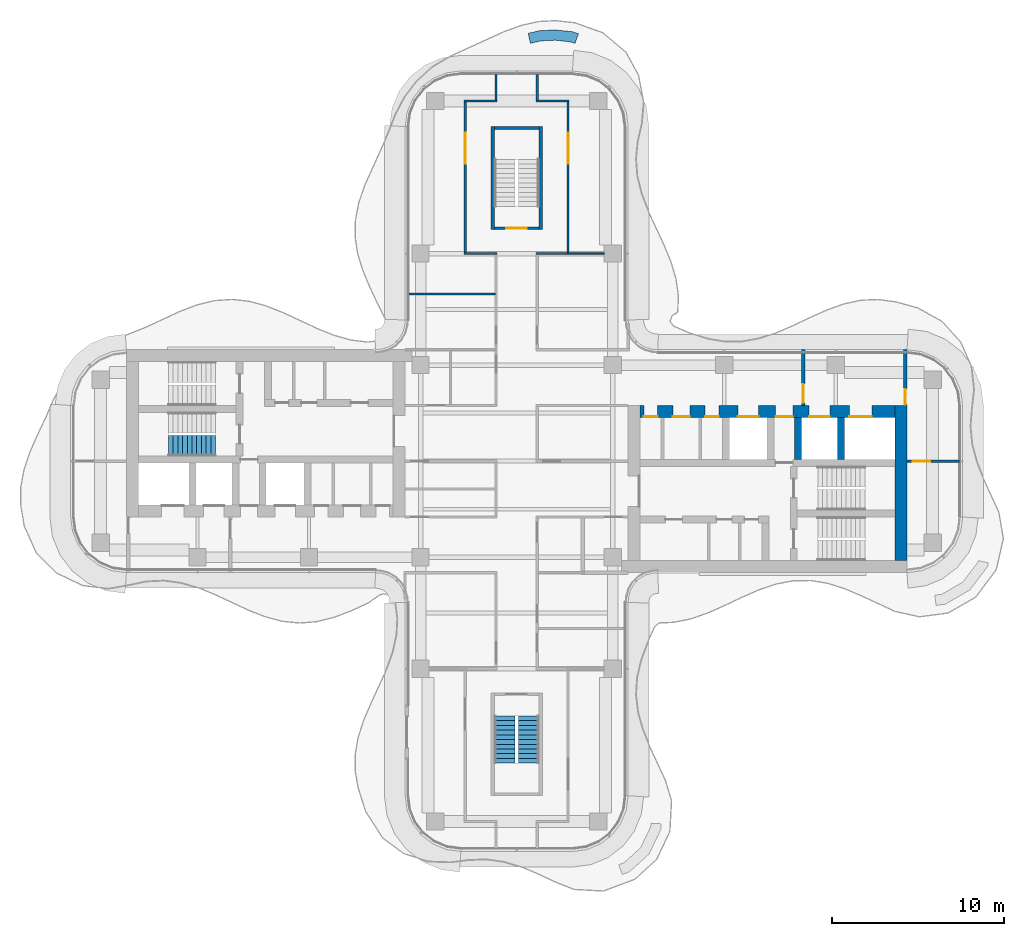
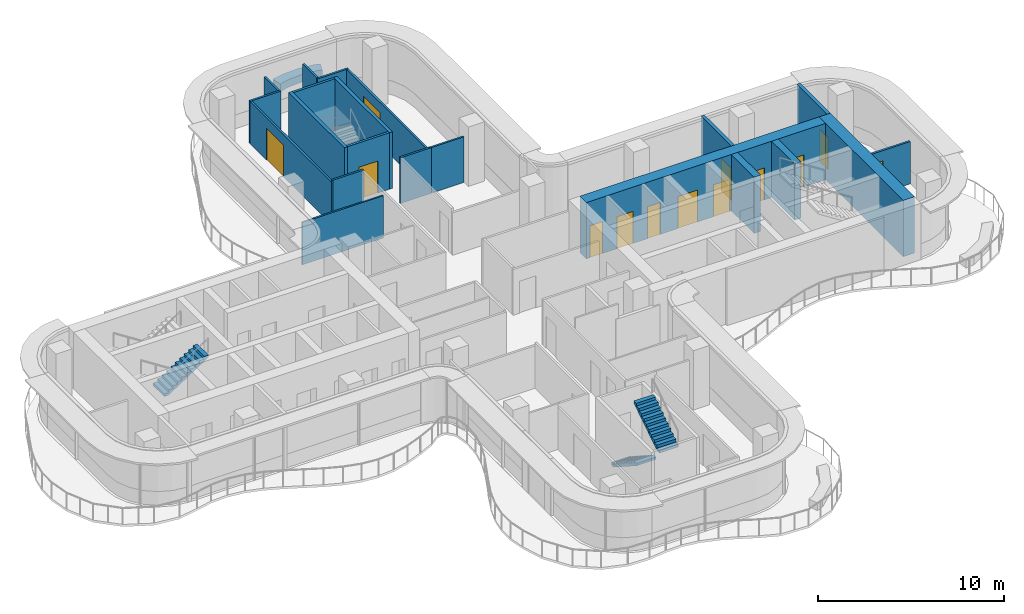
# One storey, part 13 of 16: 22 walls, 13 doors, 3 stair flights, 13 openings, 2 elements without a shape of their own.
"""IFC4 building model written with IfcOpenShell, lengths in metres."""

from ifc_helpers import new_model, si_unit, direction, frame, frame_2d, origin, place, context, subcontext, project, spatial, polyline, rectangle, outline, extrude, source, transform, mapped, material, layer, layer_set, type_object, element, fill, aggregate, save


model = new_model("IFC4")

# Units and contexts
model_context = context("Model", 3, precision=1e-05, world=origin(), true_north=direction((0.0, 1.0)))
body_context = subcontext(model_context, "Body", "Model", "MODEL_VIEW")
ifc_project = project(units=[si_unit("LENGTHUNIT", "METRE"), si_unit("AREAUNIT", "SQUARE_METRE"), si_unit("VOLUMEUNIT", "CUBIC_METRE"), si_unit("PLANEANGLEUNIT", "RADIAN"), si_unit("MASSUNIT", "GRAM", prefix="KILO")], contexts=[model_context])

# Site, building, storey
site_placement = place(None, origin())
site = spatial("IfcSite", under=ifc_project, at=site_placement, CompositionType="ELEMENT")
building_placement = place(site_placement, origin())
building = spatial("IfcBuilding", under=site, at=building_placement, Name="Trellis Farm Tower", CompositionType="ELEMENT")
storey_placement = place(building_placement, frame((0.0, 0.0, 298.89990234375)))
storey = spatial("IfcBuildingStorey", under=building, at=storey_placement, Name="L67", CompositionType="ELEMENT", Elevation=298.89990234375)

# Walls
ifc_material_1 = material(Name="Sandstone faced masonry planter", Category="masonry")
ifc_layer_1 = layer(ifc_material_1, 0.60009765625)
ifc_layer_set_1 = layer_set([ifc_layer_1], Name="PLANTER BED 600")
wall_type_1 = type_object("IfcWallType", Name="PLANTER BED 600", PredefinedType="USERDEFINED", material=ifc_layer_set_1)
placement = place(storey_placement, origin())
element("IfcWall", 1, at=placement, inside=storey, type_object=wall_type_1, Name="PLANTER bed", ObjectType="PLANTER", PredefinedType="USERDEFINED", context=body_context, shape_type="SweptSolid", body=[
    extrude(outline(polyline([(2.24658203125, 25.143310546875), (3.28466796875, 25.029296875), (3.601806640625, 24.916015625), (3.39990234375, 24.350830078125), (3.149169921875, 24.4404296875), (2.2294921875, 24.541748046875), (1.422119140625, 24.498779296875), (0.797119140625, 24.357421875), (0.664794921875, 24.942626953125), (1.33935546875, 25.09521484375), (2.24658203125, 25.143310546875)])), origin(), (0.0, 0.0, 1.0), 0.5),
])
ifc_material_2 = material(Name="Concrete C50/60", Category="concrete")
ifc_layer_2 = layer(ifc_material_2, 0.699951171875)
ifc_layer_set_2 = layer_set([ifc_layer_2], Name="CORE OUTER WALL 700 CONCRETE C50/60")
wall_type_2 = type_object("IfcWallType", Name="CORE OUTER WALL 700 CONCRETE C50/60", PredefinedType="SHEAR", material=ifc_layer_set_2)
shared_shape_1 = source(origin(), body_context, "Body", "SweptSolid", [
    extrude(rectangle(XDim=9.050048828125, YDim=0.699951171875, at=frame_2d((4.52490234375, 0.0))), origin(), (0.0, 0.0, 1.0), 3.7001953125),
])
wall_2_placement = place(storey_placement, frame((22.39990234375, -5.800048828125, 0.0), z_axis=(0.0, 0.0, 1.0), x_axis=(0.0, 1.0, 0.0)))
element("IfcWall", 2, at=wall_2_placement, inside=storey, type_object=wall_type_2, Name="Core wall", PredefinedType="SHEAR", context=body_context, shape_type="MappedRepresentation", body=[
    mapped(shared_shape_1, transform((0.0, 0.0, 0.0))),
])
ifc_layer_3 = layer(ifc_material_2, 0.39990234375)
ifc_layer_set_3 = layer_set([ifc_layer_3], Name="CORE INNER WALL 400 CONCRETE C50/60")
wall_type_3 = type_object("IfcWallType", Name="CORE INNER WALL 400 CONCRETE C50/60", PredefinedType="SHEAR", material=ifc_layer_set_3)
shared_shape_2 = source(origin(), body_context, "Body", "SweptSolid", [
    extrude(rectangle(XDim=2.449951171875, YDim=0.39990234375, at=frame_2d((1.22509765625, 0.0))), origin(), (0.0, 0.0, 1.0), 3.7001953125),
])
for number, where, z_axis, x_axis, name in (
    (3, (16.39990234375, 0.10009765625, 0.0), (0.0, 0.0, 1.0), (0.0, 1.0, 0.0), "Core wall"),
    (4, (18.89990234375, 0.10009765625, 0.0), (0.0, 0.0, 1.0), (0.0, 1.0, 0.0), "Core wall"),
):
    element("IfcWall", number, at=place(storey_placement, frame(where, z_axis=z_axis, x_axis=x_axis)), inside=storey, type_object=wall_type_3, Name=name, PredefinedType="SHEAR", context=body_context, shape_type="MappedRepresentation", body=[
        mapped(shared_shape_2, transform((0.0, 0.0, 0.0))),
    ])

# Wall, opening, door
ifc_material_3 = material(Name="Masonry blockwork", Category="masonry")
ifc_layer_4 = layer(ifc_material_3, 0.199951171875)
ifc_layer_set_4 = layer_set([ifc_layer_4], Name="FIRE LOBBY PARTITION 200 BLOCKWORK")
wall_type_4 = type_object("IfcWallType", Name="FIRE LOBBY PARTITION 200 BLOCKWORK", PredefinedType="PARTITIONING", material=ifc_layer_set_4)
shared_shape_3 = source(origin(), body_context, "Body", "SweptSolid", [
    extrude(rectangle(XDim=3.25, YDim=0.199951171875, at=frame_2d((1.625, 0.0))), origin(), (0.0, 0.0, 1.0), 3.7001953125),
])
wall_3_placement = place(storey_placement, frame((16.699951171875, 3.25, 0.0), z_axis=(0.0, 0.0, 1.0), x_axis=(0.0, 1.0, 0.0)))
wall_3 = element("IfcWall", 5, at=wall_3_placement, inside=storey, type_object=wall_type_4, Name="Fire-fighting lobby partition", PredefinedType="PARTITIONING", context=body_context, shape_type="MappedRepresentation", body=[
    mapped(shared_shape_3, transform((0.0, 0.0, 0.0))),
])
shared_shape_4 = source(origin(), body_context, "Body", "SweptSolid", [
    extrude(rectangle(XDim=1.10009765625, YDim=2.10009765625, at=frame_2d((0.550048828125, 1.050048828125))), frame((0.0, 0.110107421875, 0.0), z_axis=(0.0, -1.0, 0.0), x_axis=(1.0, 0.0, 0.0)), (0.0, 0.0, 1.0), 0.22021484375),
])
opening_1_placement = place(wall_3_placement, frame((0.14990234375, 0.0, 0.0)))
opening_1 = element("IfcOpeningElement", 6, at=opening_1_placement, cuts=wall_3, Name="Opening DC7", PredefinedType="OPENING", context=body_context, shape_type="MappedRepresentation", body=[
    mapped(shared_shape_4, transform((0.0, 0.0, 0.0))),
])
ifc_material_4 = material(Name="Steel", Category="steel")
door_type_1 = type_object("IfcDoorType", Name="CORE FIRE DOOR 1100 X 2100", OperationType="NOTDEFINED", PredefinedType="DOOR", material=ifc_material_4)
shared_shape_5 = source(origin(), body_context, "Body", "SweptSolid", [
    extrude(rectangle(XDim=1.10009765625, YDim=2.10009765625, at=frame_2d((0.550048828125, 1.050048828125))), frame((0.0, 0.02490234375, 0.0), z_axis=(0.0, -1.0, 0.0), x_axis=(1.0, 0.0, 0.0)), (0.0, 0.0, 1.0), 0.050048828125),
])
door_1_placement = place(opening_1_placement, origin())
door_1 = element("IfcDoor", 7, at=door_1_placement, inside=storey, type_object=door_type_1, Name="Core door", OperationType="SINGLE_SWING_RIGHT", OverallHeight=2.10009765625, OverallWidth=1.10009765625, PredefinedType="DOOR", context=body_context, shape_type="MappedRepresentation", body=[
    mapped(shared_shape_5, transform((0.0, 0.0, 0.0))),
])
fill(opening_1, door_1)

wall_4_placement = place(storey_placement, frame((22.64990234375, 3.25, 0.0), z_axis=(0.0, 0.0, 1.0), x_axis=(0.0, 1.0, 0.0)))
wall_4 = element("IfcWall", 8, at=wall_4_placement, inside=storey, type_object=wall_type_4, Name="Fire-fighting lobby partition", PredefinedType="PARTITIONING", context=body_context, shape_type="MappedRepresentation", body=[
    mapped(shared_shape_3, transform((0.0, 0.0, 0.0))),
])
shared_shape_6 = source(origin(), body_context, "Body", "SweptSolid", [
    extrude(rectangle(XDim=0.89990234375, YDim=2.10009765625, at=frame_2d((0.449951171875, 1.050048828125))), frame((0.0, 0.110107421875, 0.0), z_axis=(0.0, -1.0, 0.0), x_axis=(1.0, 0.0, 0.0)), (0.0, 0.0, 1.0), 0.22021484375),
])
opening_2_placement = place(wall_4_placement, frame((0.050048828125, 0.0, 0.0)))
opening_2 = element("IfcOpeningElement", 9, at=opening_2_placement, cuts=wall_4, Name="Opening DC8", PredefinedType="OPENING", context=body_context, shape_type="MappedRepresentation", body=[
    mapped(shared_shape_6, transform((0.0, 0.0, 0.0))),
])
door_type_2 = type_object("IfcDoorType", Name="CORE FIRE DOOR 900 X 2100", OperationType="NOTDEFINED", PredefinedType="DOOR", material=ifc_material_4)
shared_shape_7 = source(origin(), body_context, "Body", "SweptSolid", [
    extrude(rectangle(XDim=0.89990234375, YDim=2.10009765625, at=frame_2d((0.449951171875, 1.050048828125))), frame((0.0, 0.02490234375, 0.0), z_axis=(0.0, -1.0, 0.0), x_axis=(1.0, 0.0, 0.0)), (0.0, 0.0, 1.0), 0.050048828125),
])
door_2_placement = place(opening_2_placement, origin())
door_2 = element("IfcDoor", 10, at=door_2_placement, inside=storey, type_object=door_type_2, Name="Core door", OperationType="SINGLE_SWING_RIGHT", OverallHeight=2.10009765625, OverallWidth=0.89990234375, PredefinedType="DOOR", context=body_context, shape_type="MappedRepresentation", body=[
    mapped(shared_shape_7, transform((0.0, 0.0, 0.0))),
])
fill(opening_2, door_2)

# Wall, openings, doors
shared_shape_8 = source(origin(), body_context, "Body", "SweptSolid", [
    extrude(rectangle(XDim=14.85009765625, YDim=0.699951171875, at=frame_2d((7.425048828125, 0.0))), origin(), (0.0, 0.0, 1.0), 3.7001953125),
])
wall_5_placement = place(storey_placement, frame((7.199951171875, 2.89990234375, 0.0), z_axis=(0.0, 0.0, 1.0), x_axis=(1.0, 0.0, 0.0)))
wall_5 = element("IfcWall", 11, at=wall_5_placement, inside=storey, type_object=wall_type_2, Name="Core wall", PredefinedType="SHEAR", context=body_context, shape_type="MappedRepresentation", body=[
    mapped(shared_shape_8, transform((0.0, 0.0, 0.0))),
])
shared_shape_9 = source(origin(), body_context, "Body", "SweptSolid", [
    extrude(rectangle(XDim=1.199951171875, YDim=2.10009765625, at=frame_2d((0.60009765625, 1.050048828125))), frame((0.0, 0.360107421875, 0.0), z_axis=(0.0, -1.0, 0.0), x_axis=(1.0, 0.0, 0.0)), (0.0, 0.0, 1.0), 0.72021484375),
])
opening_3_placement = place(wall_5_placement, frame((5.699951171875, 0.0, 0.0)))
opening_3 = element("IfcOpeningElement", 12, at=opening_3_placement, cuts=wall_5, Name="Opening LD6", PredefinedType="OPENING", context=body_context, shape_type="MappedRepresentation", body=[
    mapped(shared_shape_9, transform((0.0, 0.0, 0.0))),
])
shared_shape_10 = source(origin(), body_context, "Body", "SweptSolid", [
    extrude(rectangle(XDim=1.300048828125, YDim=2.10009765625, at=frame_2d((0.64990234375, 1.050048828125))), frame((0.0, 0.360107421875, 0.0), z_axis=(0.0, -1.0, 0.0), x_axis=(1.0, 0.0, 0.0)), (0.0, 0.0, 1.0), 0.72021484375),
])
opening_4_placement = place(wall_5_placement, frame((12.199951171875, 0.0, 0.0)))
opening_4 = element("IfcOpeningElement", 13, at=opening_4_placement, cuts=wall_5, Name="Opening LD7", PredefinedType="OPENING", context=body_context, shape_type="MappedRepresentation", body=[
    mapped(shared_shape_10, transform((0.0, 0.0, 0.0))),
])
opening_5_placement = place(wall_5_placement, frame((9.85009765625, 0.0, 0.0)))
opening_5 = element("IfcOpeningElement", 14, at=opening_5_placement, cuts=wall_5, Name="Opening LD8", PredefinedType="OPENING", context=body_context, shape_type="MappedRepresentation", body=[
    mapped(shared_shape_9, transform((0.0, 0.0, 0.0))),
])
shared_shape_11 = source(origin(), body_context, "Body", "SweptSolid", [
    extrude(rectangle(XDim=1.0, YDim=2.10009765625, at=frame_2d((0.5, 1.050048828125))), frame((0.0, 0.360107421875, 0.0), z_axis=(0.0, -1.0, 0.0), x_axis=(1.0, 0.0, 0.0)), (0.0, 0.0, 1.0), 0.72021484375),
])
opening_6_placement = place(wall_5_placement, frame((7.89990234375, 0.0, 0.0)))
opening_6 = element("IfcOpeningElement", 15, at=opening_6_placement, cuts=wall_5, Name="Opening DC6", PredefinedType="OPENING", context=body_context, shape_type="MappedRepresentation", body=[
    mapped(shared_shape_11, transform((0.0, 0.0, 0.0))),
])
shared_shape_12 = source(origin(), body_context, "Body", "SweptSolid", [
    extrude(rectangle(XDim=0.800048828125, YDim=2.10009765625, at=frame_2d((0.39990234375, 1.050048828125))), frame((0.0, 0.360107421875, 0.0), z_axis=(0.0, -1.0, 0.0), x_axis=(1.0, 0.0, 0.0)), (0.0, 0.0, 1.0), 0.72021484375),
])
opening_7_placement = place(wall_5_placement, frame((0.21240234375, 0.0, 0.0)))
opening_7 = element("IfcOpeningElement", 16, at=opening_7_placement, cuts=wall_5, Name="Opening DC10", PredefinedType="OPENING", context=body_context, shape_type="MappedRepresentation", body=[
    mapped(shared_shape_12, transform((0.0, 0.0, 0.0))),
])
opening_8_placement = place(wall_5_placement, frame((1.89990234375, 0.0, 0.0)))
opening_8 = element("IfcOpeningElement", 17, at=opening_8_placement, cuts=wall_5, Name="Opening DC19", PredefinedType="OPENING", context=body_context, shape_type="MappedRepresentation", body=[
    mapped(shared_shape_11, transform((0.0, 0.0, 0.0))),
])
opening_9_placement = place(wall_5_placement, frame((3.78759765625, 0.0, 0.0)))
opening_9 = element("IfcOpeningElement", 18, at=opening_9_placement, cuts=wall_5, Name="Opening DC22", PredefinedType="OPENING", context=body_context, shape_type="MappedRepresentation", body=[
    mapped(shared_shape_12, transform((0.0, 0.0, 0.0))),
])
door_type_3 = type_object("IfcDoorType", Name="CORE FIRE DOOR 1000 X 2100", OperationType="NOTDEFINED", PredefinedType="DOOR", material=ifc_material_4)
shared_shape_13 = source(origin(), body_context, "Body", "SweptSolid", [
    extrude(rectangle(XDim=1.0, YDim=2.10009765625, at=frame_2d((0.5, 1.050048828125))), frame((0.0, -0.27490234375, 0.0), z_axis=(0.0, -1.0, 0.0), x_axis=(1.0, 0.0, 0.0)), (0.0, 0.0, 1.0), 0.050048828125),
])
door_3_placement = place(opening_6_placement, origin())
door_3 = element("IfcDoor", 19, at=door_3_placement, inside=storey, type_object=door_type_3, Name="Core door", OperationType="SINGLE_SWING_LEFT", OverallHeight=2.10009765625, OverallWidth=1.0, PredefinedType="DOOR", context=body_context, shape_type="MappedRepresentation", body=[
    mapped(shared_shape_13, transform((0.0, 0.0, 0.0))),
])
fill(opening_6, door_3)
door_4_placement = place(opening_8_placement, origin())
door_4 = element("IfcDoor", 20, at=door_4_placement, inside=storey, type_object=door_type_3, Name="Core door", OperationType="SINGLE_SWING_LEFT", OverallHeight=2.10009765625, OverallWidth=1.0, PredefinedType="DOOR", context=body_context, shape_type="MappedRepresentation", body=[
    mapped(shared_shape_13, transform((0.0, 0.0, 0.0))),
])
fill(opening_8, door_4)
ifc_material_5 = material(Name="Stainless steel", Category="steel")
door_type_4 = type_object("IfcDoorType", Name="LIFT LANDING DOOR 1300 X 2100", OperationType="DOUBLE_DOOR_SLIDING", PredefinedType="DOOR", material=ifc_material_5)
shared_shape_14 = source(origin(), body_context, "Body", "SweptSolid", [
    extrude(rectangle(XDim=1.300048828125, YDim=2.10009765625, at=frame_2d((0.64990234375, 1.050048828125))), frame((0.0, -0.27490234375, 0.0), z_axis=(0.0, -1.0, 0.0), x_axis=(1.0, 0.0, 0.0)), (0.0, 0.0, 1.0), 0.050048828125),
])
door_5_placement = place(opening_4_placement, origin())
door_5 = element("IfcDoor", 21, at=door_5_placement, inside=storey, type_object=door_type_4, Name="Lift landing door", OperationType="DOUBLE_DOOR_SLIDING", OverallHeight=2.10009765625, OverallWidth=1.300048828125, PredefinedType="DOOR", context=body_context, shape_type="MappedRepresentation", body=[
    mapped(shared_shape_14, transform((0.0, 0.0, 0.0))),
])
fill(opening_4, door_5)
door_type_5 = type_object("IfcDoorType", Name="LIFT LANDING DOOR 1200 X 2100", OperationType="DOUBLE_DOOR_SLIDING", PredefinedType="DOOR", material=ifc_material_5)
shared_shape_15 = source(origin(), body_context, "Body", "SweptSolid", [
    extrude(rectangle(XDim=1.199951171875, YDim=2.10009765625, at=frame_2d((0.60009765625, 1.050048828125))), frame((0.0, -0.27490234375, 0.0), z_axis=(0.0, -1.0, 0.0), x_axis=(1.0, 0.0, 0.0)), (0.0, 0.0, 1.0), 0.050048828125),
])
door_6_placement = place(opening_3_placement, origin())
door_6 = element("IfcDoor", 22, at=door_6_placement, inside=storey, type_object=door_type_5, Name="Lift landing door", OperationType="DOUBLE_DOOR_SLIDING", OverallHeight=2.10009765625, OverallWidth=1.199951171875, PredefinedType="DOOR", context=body_context, shape_type="MappedRepresentation", body=[
    mapped(shared_shape_15, transform((0.0, 0.0, 0.0))),
])
fill(opening_3, door_6)
door_7_placement = place(opening_5_placement, origin())
door_7 = element("IfcDoor", 23, at=door_7_placement, inside=storey, type_object=door_type_5, Name="Lift landing door", OperationType="DOUBLE_DOOR_SLIDING", OverallHeight=2.10009765625, OverallWidth=1.199951171875, PredefinedType="DOOR", context=body_context, shape_type="MappedRepresentation", body=[
    mapped(shared_shape_15, transform((0.0, 0.0, 0.0))),
])
fill(opening_5, door_7)
door_type_6 = type_object("IfcDoorType", Name="CORE FIRE DOOR 800 X 2100", OperationType="NOTDEFINED", PredefinedType="DOOR", material=ifc_material_4)
shared_shape_16 = source(origin(), body_context, "Body", "SweptSolid", [
    extrude(rectangle(XDim=0.800048828125, YDim=2.10009765625, at=frame_2d((0.39990234375, 1.050048828125))), frame((0.0, -0.27490234375, 0.0), z_axis=(0.0, -1.0, 0.0), x_axis=(1.0, 0.0, 0.0)), (0.0, 0.0, 1.0), 0.050048828125),
])
door_8_placement = place(opening_7_placement, origin())
door_8 = element("IfcDoor", 24, at=door_8_placement, inside=storey, type_object=door_type_6, Name="Core door", OperationType="SINGLE_SWING_RIGHT", OverallHeight=2.10009765625, OverallWidth=0.800048828125, PredefinedType="DOOR", context=body_context, shape_type="MappedRepresentation", body=[
    mapped(shared_shape_16, transform((0.0, 0.0, 0.0))),
])
fill(opening_7, door_8)
door_9_placement = place(opening_9_placement, origin())
door_9 = element("IfcDoor", 25, at=door_9_placement, inside=storey, type_object=door_type_6, Name="Core door", OperationType="SINGLE_SWING_RIGHT", OverallHeight=2.10009765625, OverallWidth=0.800048828125, PredefinedType="DOOR", context=body_context, shape_type="MappedRepresentation", body=[
    mapped(shared_shape_16, transform((0.0, 0.0, 0.0))),
])
fill(opening_9, door_9)

# Walls
ifc_layer_5 = layer(ifc_material_2, 0.199951171875)
ifc_layer_set_5 = layer_set([ifc_layer_5], Name="CORE STAIR ENCLOSURE WALL 200 CONCRETE C50/60")
wall_type_5 = type_object("IfcWallType", Name="CORE STAIR ENCLOSURE WALL 200 CONCRETE C50/60", PredefinedType="SHEAR", material=ifc_layer_set_5)
shared_shape_17 = source(origin(), body_context, "Body", "SweptSolid", [
    extrude(rectangle(XDim=6.0, YDim=0.199951171875, at=frame_2d((3.0, 0.0))), origin(), (0.0, 0.0, 1.0), 3.7001953125),
])
for number, where, z_axis, x_axis, name in (
    (26, (-1.39990234375, 13.5, 0.0), (0.0, 0.0, 1.0), (0.0, 1.0, 0.0), "Stair enclosure wall"),
    (27, (1.39990234375, 13.5, 0.0), (0.0, 0.0, 1.0), (0.0, 1.0, 0.0), "Stair enclosure wall"),
):
    element("IfcWall", number, at=place(storey_placement, frame(where, z_axis=z_axis, x_axis=x_axis)), inside=storey, type_object=wall_type_5, Name=name, PredefinedType="SHEAR", context=body_context, shape_type="MappedRepresentation", body=[
        mapped(shared_shape_17, transform((0.0, 0.0, 0.0))),
    ])

# Wall, opening, door
ifc_layer_6 = layer(ifc_material_2, 0.14990234375)
ifc_layer_set_6 = layer_set([ifc_layer_6], Name="CORE STAIR ENCLOSURE WALL 150 CONCRETE C50/60")
wall_type_6 = type_object("IfcWallType", Name="CORE STAIR ENCLOSURE WALL 150 CONCRETE C50/60", PredefinedType="SHEAR", material=ifc_layer_set_6)
shared_shape_18 = source(origin(), body_context, "Body", "SweptSolid", [
    extrude(rectangle(XDim=2.60009765625, YDim=0.14990234375, at=frame_2d((1.300048828125, 0.0))), origin(), (0.0, 0.0, 1.0), 3.7001953125),
])
wall_6_placement = place(storey_placement, frame((-1.300048828125, 13.574951171875, 0.0), z_axis=(0.0, 0.0, 1.0), x_axis=(1.0, 0.0, 0.0)))
wall_6 = element("IfcWall", 28, at=wall_6_placement, inside=storey, type_object=wall_type_6, Name="Stair enclosure wall", PredefinedType="SHEAR", context=body_context, shape_type="MappedRepresentation", body=[
    mapped(shared_shape_18, transform((0.0, 0.0, 0.0))),
])
shared_shape_19 = source(origin(), body_context, "Body", "SweptSolid", [
    extrude(rectangle(XDim=1.199951171875, YDim=2.10009765625, at=frame_2d((0.60009765625, 1.050048828125))), frame((0.0, 0.0849609375, 0.0), z_axis=(0.0, -1.0, 0.0), x_axis=(1.0, 0.0, 0.0)), (0.0, 0.0, 1.0), 0.169921875),
])
opening_10_placement = place(wall_6_placement, frame((0.699951171875, 0.0, 0.0)))
opening_10 = element("IfcOpeningElement", 29, at=opening_10_placement, cuts=wall_6, Name="Opening DC173", PredefinedType="OPENING", context=body_context, shape_type="MappedRepresentation", body=[
    mapped(shared_shape_19, transform((0.0, 0.0, 0.0))),
])
door_type_7 = type_object("IfcDoorType", Name="CORE FIRE DOOR 1200 X 2100", OperationType="NOTDEFINED", PredefinedType="DOOR", material=ifc_material_4)
shared_shape_20 = source(origin(), body_context, "Body", "SweptSolid", [
    extrude(rectangle(XDim=1.199951171875, YDim=2.10009765625, at=frame_2d((0.60009765625, 1.050048828125))), frame((0.0, 0.02490234375, 0.0), z_axis=(0.0, -1.0, 0.0), x_axis=(1.0, 0.0, 0.0)), (0.0, 0.0, 1.0), 0.050048828125),
])
door_10_placement = place(opening_10_placement, origin())
door_10 = element("IfcDoor", 30, at=door_10_placement, inside=storey, type_object=door_type_7, Name="Core door", OperationType="SINGLE_SWING_LEFT", OverallHeight=2.10009765625, OverallWidth=1.199951171875, PredefinedType="DOOR", context=body_context, shape_type="MappedRepresentation", body=[
    mapped(shared_shape_20, transform((0.0, 0.0, 0.0))),
])
fill(opening_10, door_10)

# Walls
wall_7_placement = place(storey_placement, frame((-1.300048828125, 19.425048828125, 0.0), z_axis=(0.0, 0.0, 1.0), x_axis=(1.0, 0.0, 0.0)))
element("IfcWall", 31, at=wall_7_placement, inside=storey, type_object=wall_type_6, Name="Stair enclosure wall", PredefinedType="SHEAR", context=body_context, shape_type="MappedRepresentation", body=[
    mapped(shared_shape_18, transform((0.0, 0.0, 0.0))),
])
ifc_material_6 = material(Name="Plasterboard on steel studs, mineral wool", Category="steel")
ifc_layer_7 = layer(ifc_material_6, 0.125)
ifc_layer_set_7 = layer_set([ifc_layer_7], Name="PARTITION 125 STUD EI 60")
wall_type_7 = type_object("IfcWallType", Name="PARTITION 125 STUD EI 60", PredefinedType="PARTITIONING", material=ifc_layer_set_7)
shared_shape_21 = source(origin(), body_context, "Body", "SweptSolid", [
    extrude(rectangle(XDim=1.925048828125, YDim=0.125, at=frame_2d((0.96240234375, 0.0))), origin(), (0.0, 0.0, 1.0), 2.99658203125),
])
for number, where, z_axis, x_axis, name in (
    (32, (-1.137451171875, 12.10009765625, 0.0), (0.0, 0.0, 1.0), (-1.0, 0.0, 0.0), "Partition PW1"),
    (33, (3.0625, 12.10009765625, 0.0), (0.0, 0.0, 1.0), (-1.0, 0.0, 0.0), "Partition PW1"),
):
    element("IfcWall", number, at=place(storey_placement, frame(where, z_axis=z_axis, x_axis=x_axis)), inside=storey, type_object=wall_type_7, Name=name, PredefinedType="PARTITIONING", context=body_context, shape_type="MappedRepresentation", body=[
        mapped(shared_shape_21, transform((0.0, 0.0, 0.0))),
    ])
ifc_material_7 = material(Name="Plasterboard on steel studs", Category="steel")
ifc_layer_8 = layer(ifc_material_7, 0.10009765625)
ifc_layer_set_8 = layer_set([ifc_layer_8], Name="PARTITION 100 STUD EI 30")
wall_type_8 = type_object("IfcWallType", Name="PARTITION 100 STUD EI 30", PredefinedType="PARTITIONING", material=ifc_layer_set_8)
shared_shape_22 = source(origin(), body_context, "Body", "SweptSolid", [
    extrude(rectangle(XDim=5.03759765625, YDim=0.10009765625, at=frame_2d((2.518798828125, 0.0))), origin(), (0.0, 0.0, 1.0), 2.780029296875),
])
wall_8_placement = place(storey_placement, frame((-6.300048828125, 9.75, 0.0), z_axis=(0.0, 0.0, 1.0), x_axis=(1.0, 0.0, 0.0)))
element("IfcWall", 34, at=wall_8_placement, inside=storey, type_object=wall_type_8, Name="Partition PW2", PredefinedType="PARTITIONING", context=body_context, shape_type="MappedRepresentation", body=[
    mapped(shared_shape_22, transform((0.0, 0.0, 0.0))),
])

# Wall, opening, door
shared_shape_23 = source(origin(), body_context, "Body", "SweptSolid", [
    extrude(rectangle(XDim=8.77490234375, YDim=0.125, at=frame_2d((4.387451171875, 0.0))), origin(), (0.0, 0.0, 1.0), 2.780029296875),
])
wall_9_placement = place(storey_placement, frame((-3.0, 12.16259765625, 0.0), z_axis=(0.0, 0.0, 1.0), x_axis=(0.0, 1.0, 0.0)))
wall_9 = element("IfcWall", 35, at=wall_9_placement, inside=storey, type_object=wall_type_7, Name="Partition PW1", PredefinedType="PARTITIONING", context=body_context, shape_type="MappedRepresentation", body=[
    mapped(shared_shape_23, transform((0.0, 0.0, 0.0))),
])
shared_shape_24 = source(origin(), body_context, "Body", "SweptSolid", [
    extrude(rectangle(XDim=1.800048828125, YDim=2.10009765625, at=frame_2d((0.89990234375, 1.050048828125))), frame((0.0, 0.072509765625, 0.0), z_axis=(0.0, -1.0, 0.0), x_axis=(1.0, 0.0, 0.0)), (0.0, 0.0, 1.0), 0.14501953125),
])
opening_11_placement = place(wall_9_placement, frame((5.1875, 0.0, 0.0)))
opening_11 = element("IfcOpeningElement", 36, at=opening_11_placement, cuts=wall_9, Name="Opening D203", PredefinedType="OPENING", context=body_context, shape_type="MappedRepresentation", body=[
    mapped(shared_shape_24, transform((0.0, 0.0, 0.0))),
])
ifc_material_8 = material(Name="Fire-rated timber door leaf in a hollow metal frame", Category="wood")
door_type_8 = type_object("IfcDoorType", Name="DOOR PAIR 1800x2100 FD30S", OperationType="NOTDEFINED", PredefinedType="DOOR", material=ifc_material_8)
shared_shape_25 = source(origin(), body_context, "Body", "SweptSolid", [
    extrude(rectangle(XDim=1.800048828125, YDim=2.10009765625, at=frame_2d((0.89990234375, 1.050048828125))), frame((0.0, 0.02490234375, 0.0), z_axis=(0.0, -1.0, 0.0), x_axis=(1.0, 0.0, 0.0)), (0.0, 0.0, 1.0), 0.050048828125),
])
door_11_placement = place(opening_11_placement, origin())
door_11 = element("IfcDoor", 37, at=door_11_placement, inside=storey, type_object=door_type_8, Name="Door D203", OperationType="DOUBLE_DOOR_SINGLE_SWING", OverallHeight=2.10009765625, OverallWidth=1.800048828125, PredefinedType="DOOR", context=body_context, shape_type="MappedRepresentation", body=[
    mapped(shared_shape_25, transform((0.0, 0.0, 0.0))),
])
fill(opening_11, door_11)

# Walls
shared_shape_26 = source(origin(), body_context, "Body", "SweptSolid", [
    extrude(rectangle(XDim=1.487548828125, YDim=0.125, at=frame_2d((0.74365234375, 0.0))), origin(), (0.0, 0.0, 1.0), 2.780029296875),
])
for number, where, z_axis, x_axis, name in (
    (38, (-1.199951171875, 22.550048828125, 0.0), (0.0, 0.0, 1.0), (0.0, -1.0, 0.0), "Partition PW1"),
    (39, (1.199951171875, 22.550048828125, 0.0), (0.0, 0.0, 1.0), (0.0, -1.0, 0.0), "Partition PW1"),
):
    element("IfcWall", number, at=place(storey_placement, frame(where, z_axis=z_axis, x_axis=x_axis)), inside=storey, type_object=wall_type_7, Name=name, PredefinedType="PARTITIONING", context=body_context, shape_type="MappedRepresentation", body=[
        mapped(shared_shape_26, transform((0.0, 0.0, 0.0))),
    ])
shared_shape_27 = source(origin(), body_context, "Body", "SweptSolid", [
    extrude(rectangle(XDim=1.925048828125, YDim=0.125, at=frame_2d((0.96240234375, 0.0))), origin(), (0.0, 0.0, 1.0), 2.780029296875),
])
for number, where, z_axis, x_axis, name in (
    (40, (-3.0625, 21.0, 0.0), (0.0, 0.0, 1.0), (1.0, 0.0, 0.0), "Partition PW1"),
    (41, (1.137451171875, 21.0, 0.0), (0.0, 0.0, 1.0), (1.0, 0.0, 0.0), "Partition PW1"),
):
    element("IfcWall", number, at=place(storey_placement, frame(where, z_axis=z_axis, x_axis=x_axis)), inside=storey, type_object=wall_type_7, Name=name, PredefinedType="PARTITIONING", context=body_context, shape_type="MappedRepresentation", body=[
        mapped(shared_shape_27, transform((0.0, 0.0, 0.0))),
    ])

# Wall, opening, door
shared_shape_28 = source(origin(), body_context, "Body", "SweptSolid", [
    extrude(rectangle(XDim=8.78759765625, YDim=0.125, at=frame_2d((4.393798828125, 0.0))), origin(), (0.0, 0.0, 1.0), 2.780029296875),
])
wall_10_placement = place(storey_placement, frame((3.0, 20.9375, 0.0), z_axis=(0.0, 0.0, 1.0), x_axis=(0.0, -1.0, 0.0)))
wall_10 = element("IfcWall", 42, at=wall_10_placement, inside=storey, type_object=wall_type_7, Name="Partition PW1", PredefinedType="PARTITIONING", context=body_context, shape_type="MappedRepresentation", body=[
    mapped(shared_shape_28, transform((0.0, 0.0, 0.0))),
])
opening_12_placement = place(wall_10_placement, frame((1.78759765625, 0.0, 0.0)))
opening_12 = element("IfcOpeningElement", 43, at=opening_12_placement, cuts=wall_10, Name="Opening D204", PredefinedType="OPENING", context=body_context, shape_type="MappedRepresentation", body=[
    mapped(shared_shape_24, transform((0.0, 0.0, 0.0))),
])
door_12_placement = place(opening_12_placement, origin())
door_12 = element("IfcDoor", 44, at=door_12_placement, inside=storey, type_object=door_type_8, Name="Door D204", OperationType="DOUBLE_DOOR_SINGLE_SWING", OverallHeight=2.10009765625, OverallWidth=1.800048828125, PredefinedType="DOOR", context=body_context, shape_type="MappedRepresentation", body=[
    mapped(shared_shape_25, transform((0.0, 0.0, 0.0))),
])
fill(opening_12, door_12)

shared_shape_29 = source(origin(), body_context, "Body", "SweptSolid", [
    extrude(rectangle(XDim=3.050048828125, YDim=0.125, at=frame_2d((1.52490234375, 0.0))), origin(), (0.0, 0.0, 1.0), 2.780029296875),
])
wall_11_placement = place(storey_placement, frame((25.800048828125, 0.0, 0.0), z_axis=(0.0, 0.0, 1.0), x_axis=(-1.0, 0.0, 0.0)))
wall_11 = element("IfcWall", 45, at=wall_11_placement, inside=storey, type_object=wall_type_7, Name="Partition PW1", PredefinedType="PARTITIONING", context=body_context, shape_type="MappedRepresentation", body=[
    mapped(shared_shape_29, transform((0.0, 0.0, 0.0))),
])
shared_shape_30 = source(origin(), body_context, "Body", "SweptSolid", [
    extrude(rectangle(XDim=1.0, YDim=2.10009765625, at=frame_2d((0.5, 1.050048828125))), frame((0.0, 0.072509765625, 0.0), z_axis=(0.0, -1.0, 0.0), x_axis=(1.0, 0.0, 0.0)), (0.0, 0.0, 1.0), 0.14501953125),
])
opening_13_placement = place(wall_11_placement, frame((1.699951171875, 0.0, 0.0)))
opening_13 = element("IfcOpeningElement", 46, at=opening_13_placement, cuts=wall_11, Name="Opening D107", PredefinedType="OPENING", context=body_context, shape_type="MappedRepresentation", body=[
    mapped(shared_shape_30, transform((0.0, 0.0, 0.0))),
])
door_type_9 = type_object("IfcDoorType", Name="DOOR 1000x2100 FD30S", OperationType="NOTDEFINED", PredefinedType="DOOR", material=ifc_material_8)
shared_shape_31 = source(origin(), body_context, "Body", "SweptSolid", [
    extrude(rectangle(XDim=1.0, YDim=2.10009765625, at=frame_2d((0.5, 1.050048828125))), frame((0.0, 0.02490234375, 0.0), z_axis=(0.0, -1.0, 0.0), x_axis=(1.0, 0.0, 0.0)), (0.0, 0.0, 1.0), 0.050048828125),
])
door_13_placement = place(opening_13_placement, origin())
door_13 = element("IfcDoor", 47, at=door_13_placement, inside=storey, type_object=door_type_9, Name="Door D107", OperationType="SINGLE_SWING_RIGHT", OverallHeight=2.10009765625, OverallWidth=1.0, PredefinedType="DOOR", context=body_context, shape_type="MappedRepresentation", body=[
    mapped(shared_shape_31, transform((0.0, 0.0, 0.0))),
])
fill(opening_13, door_13)

# Wall
shared_shape_32 = source(origin(), body_context, "Body", "SweptSolid", [
    extrude(rectangle(XDim=2.16259765625, YDim=0.10009765625, at=frame_2d((1.081298828125, 0.0))), origin(), (0.0, 0.0, 1.0), 2.99658203125),
])
wall_12_placement = place(storey_placement, frame((2.9375, 12.10009765625, 0.0), z_axis=(0.0, 0.0, 1.0), x_axis=(1.0, 0.0, 0.0)))
element("IfcWall", 48, at=wall_12_placement, inside=storey, type_object=wall_type_8, Name="Partition PW2", PredefinedType="PARTITIONING", context=body_context, shape_type="MappedRepresentation", body=[
    mapped(shared_shape_32, transform((0.0, 0.0, 0.0))),
])

# Stair, stair flights
stair_type = type_object("IfcStairType", Name="CORE EXIT STAIR 22 RISERS 177 MM", PredefinedType="HALF_TURN_STAIR", material=ifc_material_2)
stair_1 = element("IfcStair", 49, at=placement, inside=storey, type_object=stair_type, Name="Exit stair S", PredefinedType="HALF_TURN_STAIR")
stair_flight_type = type_object("IfcStairFlightType", Name="STAIR FLIGHT 11 RISERS 177 MM", PredefinedType="STRAIGHT", material=ifc_material_2)
shared_shape_33 = source(origin(), body_context, "Body", "SweptSolid", [
    extrude(outline(polyline([(0.0, 0.0), (0.0, 0.17724609375), (0.27490234375, 0.17724609375), (0.27490234375, 0.3544921875), (0.550048828125, 0.3544921875), (0.550048828125, 0.53173828125), (0.824951171875, 0.53173828125), (0.824951171875, 0.708984375), (1.10009765625, 0.708984375), (1.10009765625, 0.886474609375), (1.375, 0.886474609375), (1.375, 1.063720703125), (1.64990234375, 1.063720703125), (1.64990234375, 1.240966796875), (1.925048828125, 1.240966796875), (1.925048828125, 1.418212890625), (2.199951171875, 1.418212890625), (2.199951171875, 1.595458984375), (2.47509765625, 1.595458984375), (2.47509765625, 1.772705078125), (2.75, 1.772705078125), (2.75, 1.949951171875), (2.75, 1.6181640625), (0.23974609375, 0.0), (0.0, 0.0)])), frame((0.0, 0.60009765625, 0.0), z_axis=(0.0, -1.0, 0.0), x_axis=(1.0, 0.0, 0.0)), (0.0, 0.0, 1.0), 1.199951171875),
])
stair_flight_1_placement = place(storey_placement, frame((-0.699951171875, -14.85009765625, 0.0), z_axis=(0.0, 0.0, 1.0), x_axis=(0.0, -1.0, 0.0)))
stair_flight_1 = element("IfcStairFlight", 50, at=stair_flight_1_placement, type_object=stair_flight_type, Name="STS flight 1", NumberOfRisers=11, NumberOfTreads=10, PredefinedType="STRAIGHT", RiserHeight=0.177272727, TreadLength=0.275, context=body_context, shape_type="MappedRepresentation", body=[
    mapped(shared_shape_33, transform((0.0, 0.0, 0.0))),
])
stair_flight_2_placement = place(storey_placement, frame((0.699951171875, -17.60009765625, 1.9501953125), z_axis=(0.0, 0.0, 1.0), x_axis=(0.0, 1.0, 0.0)))
stair_flight_2 = element("IfcStairFlight", 51, at=stair_flight_2_placement, type_object=stair_flight_type, Name="STS flight 2", NumberOfRisers=11, NumberOfTreads=10, PredefinedType="STRAIGHT", RiserHeight=0.177272727, TreadLength=0.275, context=body_context, shape_type="MappedRepresentation", body=[
    mapped(shared_shape_33, transform((0.0, 0.0, 0.0))),
])
aggregate(stair_1, [stair_flight_1, stair_flight_2])

# Stair, stair flight
stair_2 = element("IfcStair", 52, at=placement, inside=storey, type_object=stair_type, Name="Exit stair W2", PredefinedType="HALF_TURN_STAIR")
stair_flight_3_placement = place(storey_placement, frame((-20.300048828125, 0.89990234375, 1.9501953125), z_axis=(0.0, 0.0, 1.0), x_axis=(1.0, 0.0, 0.0)))
stair_flight_3 = element("IfcStairFlight", 53, at=stair_flight_3_placement, type_object=stair_flight_type, Name="STW2 flight 2", NumberOfRisers=11, NumberOfTreads=10, PredefinedType="STRAIGHT", RiserHeight=0.177272727, TreadLength=0.275, context=body_context, shape_type="MappedRepresentation", body=[
    mapped(shared_shape_33, transform((0.0, 0.0, 0.0))),
])
aggregate(stair_2, [stair_flight_3])

save(model, "model.ifc")
